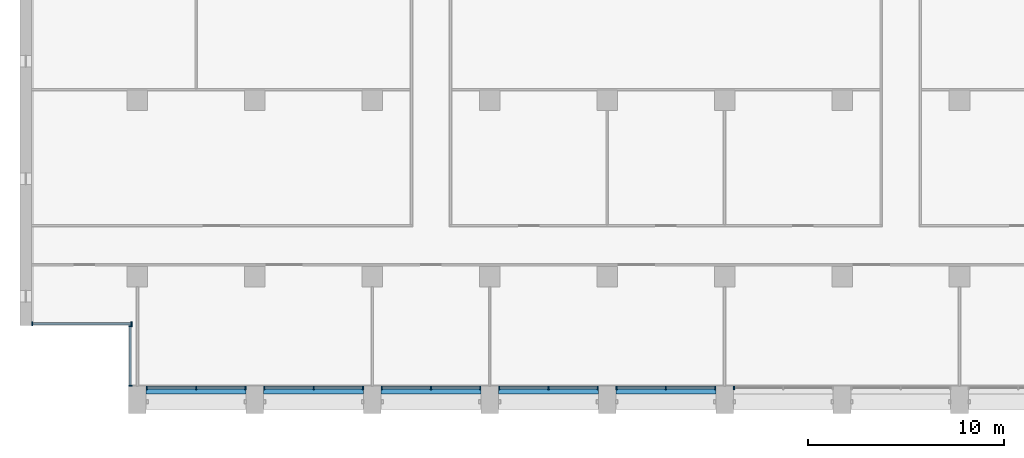
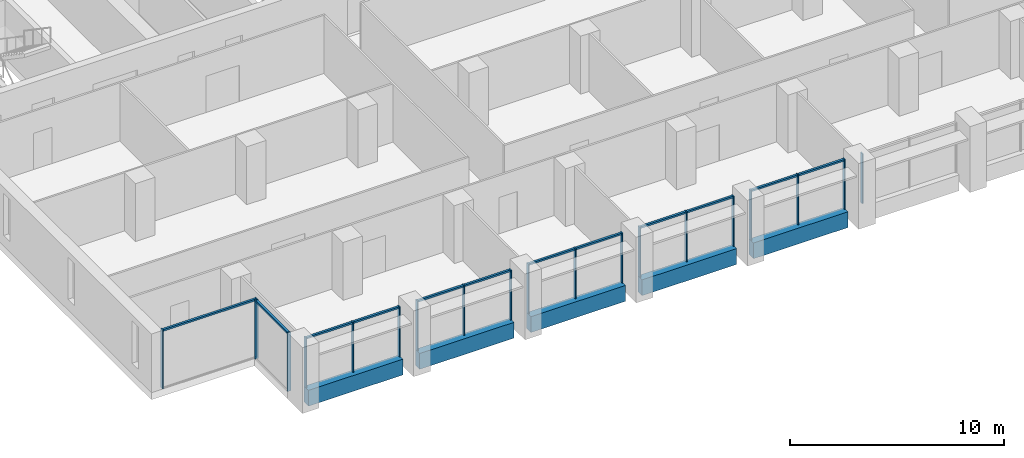
# One storey, part 2 of 17: 32 members, 5 beams, 8 elements without a shape of their own.
"""IFC4 building model written with IfcOpenShell, lengths in metres."""

from ifc_helpers import new_model, si_unit, direction, frame, origin, origin_2d, place, context, subcontext, project, spatial, rectangle, extrude, material, material_profile, profile_set, type_object, element, aggregate, save


model = new_model("IFC4")

# Units and contexts
model_context = context("Model", 3, precision=1e-05, world=origin(), true_north=direction((0.0, 1.0)))
body_context = subcontext(model_context, "Body", "Model", "MODEL_VIEW")
ifc_project = project(units=[si_unit("LENGTHUNIT", "METRE"), si_unit("AREAUNIT", "SQUARE_METRE"), si_unit("VOLUMEUNIT", "CUBIC_METRE"), si_unit("PLANEANGLEUNIT", "RADIAN"), si_unit("MASSUNIT", "GRAM", prefix="KILO")], contexts=[model_context])

# Site, building, storey
site_placement = place(None, origin())
site = spatial("IfcSite", under=ifc_project, at=site_placement, CompositionType="ELEMENT")
building_placement = place(site_placement, origin())
building = spatial("IfcBuilding", under=site, at=building_placement, Name="Calvaro Tower", CompositionType="ELEMENT")
storey_placement = place(building_placement, frame((0.0, 0.0, 204.25)))
storey = spatial("IfcBuildingStorey", under=building, at=storey_placement, Name="L51", CompositionType="ELEMENT", Elevation=204.25)

# Curtain wall, members
ifc_material_1 = material(Name="Anodised aluminium", Category="aluminium")
curtain_wall_type = type_object("IfcCurtainWallType", Name="Office curtain wall, upper zone", PredefinedType="NOTDEFINED", material=ifc_material_1)
curtain_wall_1_placement = place(storey_placement, origin())
curtain_wall_1 = element("IfcCurtainWall", 1, at=curtain_wall_1_placement, inside=storey, type_object=curtain_wall_type, Name="CW3 south curtain wall", PredefinedType="NOTDEFINED")
ifc_material_2 = material(Name="Anodised aluminium", Category="aluminium")
ifc_material_profile_1 = material_profile(ifc_material_2, rectangle(XDim=0.179931640625, YDim=0.06005859375, at=origin_2d()), Name="Mullion S3 60 x 180")
ifc_profile_set_1 = profile_set([ifc_material_profile_1], Name="Anodised aluminium")
member_type_1 = type_object("IfcMemberType", Name="Mullion S3 60 x 180", PredefinedType="MULLION", material=ifc_profile_set_1)
member_1_placement = place(storey_placement, frame((12.47998046875, 4.31005859375, 0.0), z_axis=(0.0, 0.0, 1.0), x_axis=(0.0, 1.0, 0.0)))
member_1 = element("IfcMember", 2, at=member_1_placement, type_object=member_type_1, Name="CW3 mullion 1", PredefinedType="MULLION", context=body_context, shape_type="SweptSolid", body=[
    extrude(rectangle(XDim=0.179931640625, YDim=0.06005859375, at=origin_2d()), origin(), (0.0, 0.0, 1.0), 2.85009765625),
])
member_2_placement = place(storey_placement, frame((15.0, 4.31005859375, 0.0), z_axis=(0.0, 0.0, 1.0), x_axis=(0.0, 1.0, 0.0)))
member_2 = element("IfcMember", 3, at=member_2_placement, type_object=member_type_1, Name="CW3 mullion 2", PredefinedType="MULLION", context=body_context, shape_type="SweptSolid", body=[
    extrude(rectangle(XDim=0.179931640625, YDim=0.06005859375, at=origin_2d()), origin(), (0.0, 0.0, 1.0), 2.85009765625),
])
member_3_placement = place(storey_placement, frame((17.52001953125, 4.31005859375, 0.0), z_axis=(0.0, 0.0, 1.0), x_axis=(0.0, 1.0, 0.0)))
member_3 = element("IfcMember", 4, at=member_3_placement, type_object=member_type_1, Name="CW3 mullion 3", PredefinedType="MULLION", context=body_context, shape_type="SweptSolid", body=[
    extrude(rectangle(XDim=0.179931640625, YDim=0.06005859375, at=origin_2d()), origin(), (0.0, 0.0, 1.0), 2.85009765625),
])

curtain_wall_2_placement = place(storey_placement, origin())
curtain_wall_2 = element("IfcCurtainWall", 5, at=curtain_wall_2_placement, inside=storey, type_object=curtain_wall_type, Name="CW3 south curtain wall", PredefinedType="NOTDEFINED")
member_4_placement = place(storey_placement, frame((18.47998046875, 4.31005859375, 0.0), z_axis=(0.0, 0.0, 1.0), x_axis=(0.0, 1.0, 0.0)))
member_4 = element("IfcMember", 6, at=member_4_placement, type_object=member_type_1, Name="CW3 mullion 1", PredefinedType="MULLION", context=body_context, shape_type="SweptSolid", body=[
    extrude(rectangle(XDim=0.179931640625, YDim=0.06005859375, at=origin_2d()), origin(), (0.0, 0.0, 1.0), 2.85009765625),
])
member_5_placement = place(storey_placement, frame((21.0, 4.31005859375, 0.0), z_axis=(0.0, 0.0, 1.0), x_axis=(0.0, 1.0, 0.0)))
member_5 = element("IfcMember", 7, at=member_5_placement, type_object=member_type_1, Name="CW3 mullion 2", PredefinedType="MULLION", context=body_context, shape_type="SweptSolid", body=[
    extrude(rectangle(XDim=0.179931640625, YDim=0.06005859375, at=origin_2d()), origin(), (0.0, 0.0, 1.0), 2.85009765625),
])
member_6_placement = place(storey_placement, frame((23.52001953125, 4.31005859375, 0.0), z_axis=(0.0, 0.0, 1.0), x_axis=(0.0, 1.0, 0.0)))
member_6 = element("IfcMember", 8, at=member_6_placement, type_object=member_type_1, Name="CW3 mullion 3", PredefinedType="MULLION", context=body_context, shape_type="SweptSolid", body=[
    extrude(rectangle(XDim=0.179931640625, YDim=0.06005859375, at=origin_2d()), origin(), (0.0, 0.0, 1.0), 2.85009765625),
])

curtain_wall_3_placement = place(storey_placement, origin())
curtain_wall_3 = element("IfcCurtainWall", 9, at=curtain_wall_3_placement, inside=storey, type_object=curtain_wall_type, Name="CW3 south curtain wall", PredefinedType="NOTDEFINED")
member_7_placement = place(storey_placement, frame((24.47998046875, 4.31005859375, 0.0), z_axis=(0.0, 0.0, 1.0), x_axis=(0.0, 1.0, 0.0)))
member_7 = element("IfcMember", 10, at=member_7_placement, type_object=member_type_1, Name="CW3 mullion 1", PredefinedType="MULLION", context=body_context, shape_type="SweptSolid", body=[
    extrude(rectangle(XDim=0.179931640625, YDim=0.06005859375, at=origin_2d()), origin(), (0.0, 0.0, 1.0), 2.85009765625),
])
member_8_placement = place(storey_placement, frame((27.0, 4.31005859375, 0.0), z_axis=(0.0, 0.0, 1.0), x_axis=(0.0, 1.0, 0.0)))
member_8 = element("IfcMember", 11, at=member_8_placement, type_object=member_type_1, Name="CW3 mullion 2", PredefinedType="MULLION", context=body_context, shape_type="SweptSolid", body=[
    extrude(rectangle(XDim=0.179931640625, YDim=0.06005859375, at=origin_2d()), origin(), (0.0, 0.0, 1.0), 2.85009765625),
])
member_9_placement = place(storey_placement, frame((29.52001953125, 4.31005859375, 0.0), z_axis=(0.0, 0.0, 1.0), x_axis=(0.0, 1.0, 0.0)))
member_9 = element("IfcMember", 12, at=member_9_placement, type_object=member_type_1, Name="CW3 mullion 3", PredefinedType="MULLION", context=body_context, shape_type="SweptSolid", body=[
    extrude(rectangle(XDim=0.179931640625, YDim=0.06005859375, at=origin_2d()), origin(), (0.0, 0.0, 1.0), 2.85009765625),
])

curtain_wall_4_placement = place(storey_placement, origin())
curtain_wall_4 = element("IfcCurtainWall", 13, at=curtain_wall_4_placement, inside=storey, type_object=curtain_wall_type, Name="CW3 south curtain wall", PredefinedType="NOTDEFINED")
member_10_placement = place(storey_placement, frame((30.47998046875, 4.31005859375, 0.0), z_axis=(0.0, 0.0, 1.0), x_axis=(0.0, 1.0, 0.0)))
member_10 = element("IfcMember", 14, at=member_10_placement, type_object=member_type_1, Name="CW3 mullion 1", PredefinedType="MULLION", context=body_context, shape_type="SweptSolid", body=[
    extrude(rectangle(XDim=0.179931640625, YDim=0.06005859375, at=origin_2d()), origin(), (0.0, 0.0, 1.0), 2.85009765625),
])
member_11_placement = place(storey_placement, frame((33.0, 4.31005859375, 0.0), z_axis=(0.0, 0.0, 1.0), x_axis=(0.0, 1.0, 0.0)))
member_11 = element("IfcMember", 15, at=member_11_placement, type_object=member_type_1, Name="CW3 mullion 2", PredefinedType="MULLION", context=body_context, shape_type="SweptSolid", body=[
    extrude(rectangle(XDim=0.179931640625, YDim=0.06005859375, at=origin_2d()), origin(), (0.0, 0.0, 1.0), 2.85009765625),
])
member_12_placement = place(storey_placement, frame((35.52001953125, 4.31005859375, 0.0), z_axis=(0.0, 0.0, 1.0), x_axis=(0.0, 1.0, 0.0)))
member_12 = element("IfcMember", 16, at=member_12_placement, type_object=member_type_1, Name="CW3 mullion 3", PredefinedType="MULLION", context=body_context, shape_type="SweptSolid", body=[
    extrude(rectangle(XDim=0.179931640625, YDim=0.06005859375, at=origin_2d()), origin(), (0.0, 0.0, 1.0), 2.85009765625),
])

curtain_wall_5_placement = place(storey_placement, origin())
curtain_wall_5 = element("IfcCurtainWall", 17, at=curtain_wall_5_placement, inside=storey, type_object=curtain_wall_type, Name="CW3 south curtain wall", PredefinedType="NOTDEFINED")
member_13_placement = place(storey_placement, frame((36.47998046875, 4.31005859375, 0.0), z_axis=(0.0, 0.0, 1.0), x_axis=(0.0, 1.0, 0.0)))
member_13 = element("IfcMember", 18, at=member_13_placement, type_object=member_type_1, Name="CW3 mullion 1", PredefinedType="MULLION", context=body_context, shape_type="SweptSolid", body=[
    extrude(rectangle(XDim=0.179931640625, YDim=0.06005859375, at=origin_2d()), origin(), (0.0, 0.0, 1.0), 2.85009765625),
])
member_14_placement = place(storey_placement, frame((39.0, 4.31005859375, 0.0), z_axis=(0.0, 0.0, 1.0), x_axis=(0.0, 1.0, 0.0)))
member_14 = element("IfcMember", 19, at=member_14_placement, type_object=member_type_1, Name="CW3 mullion 2", PredefinedType="MULLION", context=body_context, shape_type="SweptSolid", body=[
    extrude(rectangle(XDim=0.179931640625, YDim=0.06005859375, at=origin_2d()), origin(), (0.0, 0.0, 1.0), 2.85009765625),
])
member_15_placement = place(storey_placement, frame((41.52001953125, 4.31005859375, 0.0), z_axis=(0.0, 0.0, 1.0), x_axis=(0.0, 1.0, 0.0)))
member_15 = element("IfcMember", 20, at=member_15_placement, type_object=member_type_1, Name="CW3 mullion 3", PredefinedType="MULLION", context=body_context, shape_type="SweptSolid", body=[
    extrude(rectangle(XDim=0.179931640625, YDim=0.06005859375, at=origin_2d()), origin(), (0.0, 0.0, 1.0), 2.85009765625),
])

# Curtain wall, member
curtain_wall_6_placement = place(storey_placement, origin())
curtain_wall_6 = element("IfcCurtainWall", 21, at=curtain_wall_6_placement, inside=storey, type_object=curtain_wall_type, Name="CW3 south curtain wall", PredefinedType="NOTDEFINED")
member_16_placement = place(storey_placement, frame((42.47998046875, 4.31005859375, 0.0), z_axis=(0.0, 0.0, 1.0), x_axis=(0.0, 1.0, 0.0)))
member_16 = element("IfcMember", 22, at=member_16_placement, type_object=member_type_1, Name="CW3 mullion 1", PredefinedType="MULLION", context=body_context, shape_type="SweptSolid", body=[
    extrude(rectangle(XDim=0.179931640625, YDim=0.06005859375, at=origin_2d()), origin(), (0.0, 0.0, 1.0), 2.85009765625),
])
aggregate(curtain_wall_6, [member_16])

# Curtain wall, members
curtain_wall_7_placement = place(storey_placement, origin())
curtain_wall_7 = element("IfcCurtainWall", 23, at=curtain_wall_7_placement, inside=storey, type_object=curtain_wall_type, Name="CW3 corner curtain wall", PredefinedType="NOTDEFINED")
member_17_placement = place(storey_placement, frame((11.639892578125, 4.429931640625, 0.0), z_axis=(0.0, 0.0, 1.0), x_axis=(-1.0, 0.0, 0.0)))
member_17 = element("IfcMember", 24, at=member_17_placement, type_object=member_type_1, Name="CW3 mullion 1", PredefinedType="MULLION", context=body_context, shape_type="SweptSolid", body=[
    extrude(rectangle(XDim=0.179931640625, YDim=0.06005859375, at=origin_2d()), origin(), (0.0, 0.0, 1.0), 3.35009765625),
])
member_18_placement = place(storey_placement, frame((11.639892578125, 7.469970703125, 0.0), z_axis=(0.0, 0.0, 1.0), x_axis=(-1.0, 0.0, 0.0)))
member_18 = element("IfcMember", 25, at=member_18_placement, type_object=member_type_1, Name="CW3 mullion 2", PredefinedType="MULLION", context=body_context, shape_type="SweptSolid", body=[
    extrude(rectangle(XDim=0.179931640625, YDim=0.06005859375, at=origin_2d()), origin(), (0.0, 0.0, 1.0), 3.35009765625),
])

curtain_wall_8_placement = place(storey_placement, origin())
curtain_wall_8 = element("IfcCurtainWall", 26, at=curtain_wall_8_placement, inside=storey, type_object=curtain_wall_type, Name="CW3 corner curtain wall", PredefinedType="NOTDEFINED")
member_19_placement = place(storey_placement, frame((6.6298828125, 7.590087890625, 0.0), z_axis=(0.0, 0.0, 1.0), x_axis=(0.0, 1.0, 0.0)))
member_19 = element("IfcMember", 27, at=member_19_placement, type_object=member_type_1, Name="CW3 mullion 1", PredefinedType="MULLION", context=body_context, shape_type="SweptSolid", body=[
    extrude(rectangle(XDim=0.179931640625, YDim=0.06005859375, at=origin_2d()), origin(), (0.0, 0.0, 1.0), 3.35009765625),
])
member_20_placement = place(storey_placement, frame((11.699951171875, 7.590087890625, 0.0), z_axis=(0.0, 0.0, 1.0), x_axis=(0.0, 1.0, 0.0)))
member_20 = element("IfcMember", 28, at=member_20_placement, type_object=member_type_1, Name="CW3 mullion 2", PredefinedType="MULLION", context=body_context, shape_type="SweptSolid", body=[
    extrude(rectangle(XDim=0.179931640625, YDim=0.06005859375, at=origin_2d()), origin(), (0.0, 0.0, 1.0), 3.35009765625),
])

# Beams
ifc_material_3 = material(Name="Concrete C50/60 precast", Category="concrete")
ifc_material_profile_2 = material_profile(ifc_material_3, rectangle(XDim=0.39990234375, YDim=0.89990234375, at=origin_2d()), Name="RC 400x900")
ifc_profile_set_2 = profile_set([ifc_material_profile_2], Name="Concrete C50/60 precast")
beam_type = type_object("IfcBeamType", Name="Spandrel beam 400x900 C50/60", PredefinedType="SPANDREL", material=ifc_profile_set_2)
for number, where, z_axis, x_axis, name in (
    (29, (12.449951171875, 4.199951171875, -0.449951171875), (1.0, 0.0, 0.0), (0.0, 1.0, 0.0), "Spandrel beam"),
    (30, (18.449951171875, 4.199951171875, -0.449951171875), (1.0, 0.0, 0.0), (0.0, 1.0, 0.0), "Spandrel beam"),
    (31, (24.449951171875, 4.199951171875, -0.449951171875), (1.0, 0.0, 0.0), (0.0, 1.0, 0.0), "Spandrel beam"),
    (32, (30.449951171875, 4.199951171875, -0.449951171875), (1.0, 0.0, 0.0), (0.0, 1.0, 0.0), "Spandrel beam"),
    (33, (36.449951171875, 4.199951171875, -0.449951171875), (1.0, 0.0, 0.0), (0.0, 1.0, 0.0), "Spandrel beam"),
):
    element("IfcBeam", number, at=place(storey_placement, frame(where, z_axis=z_axis, x_axis=x_axis)), inside=storey, type_object=beam_type, Name=name, PredefinedType="SPANDREL", context=body_context, shape_type="SweptSolid", body=[
        extrude(rectangle(XDim=0.39990234375, YDim=0.89990234375, at=origin_2d()), origin(), (0.0, 0.0, 1.0), 5.10009765625),
    ])

# Member
ifc_material_4 = material(Name="Anodised aluminium", Category="aluminium")
ifc_material_profile_3 = material_profile(ifc_material_4, rectangle(XDim=0.1201171875, YDim=0.10009765625, at=origin_2d()), Name="Transom S3 100 x 120")
ifc_profile_set_3 = profile_set([ifc_material_profile_3], Name="Anodised aluminium")
member_type_2 = type_object("IfcMemberType", Name="Transom S3 100 x 120", PredefinedType="USERDEFINED", material=ifc_profile_set_3)
member_21_placement = place(storey_placement, frame((12.510009765625, 4.31005859375, 2.800048828125), z_axis=(1.0, 0.0, 0.0), x_axis=(0.0, 1.0, 0.0)))
member_21 = element("IfcMember", 34, at=member_21_placement, type_object=member_type_2, Name="CW3 transom 1.1", ObjectType="TRANSOM", PredefinedType="USERDEFINED", context=body_context, shape_type="SweptSolid", body=[
    extrude(rectangle(XDim=0.1201171875, YDim=0.10009765625, at=origin_2d()), origin(), (0.0, 0.0, 1.0), 2.4599609375),
])

member_22_placement = place(storey_placement, frame((15.030029296875, 4.31005859375, 2.800048828125), z_axis=(1.0, 0.0, 0.0), x_axis=(0.0, 1.0, 0.0)))
member_22 = element("IfcMember", 35, at=member_22_placement, type_object=member_type_2, Name="CW3 transom 2.1", ObjectType="TRANSOM", PredefinedType="USERDEFINED", context=body_context, shape_type="SweptSolid", body=[
    extrude(rectangle(XDim=0.1201171875, YDim=0.10009765625, at=origin_2d()), origin(), (0.0, 0.0, 1.0), 2.4599609375),
])

aggregate(curtain_wall_1, [member_1, member_2, member_3, member_21, member_22])

member_23_placement = place(storey_placement, frame((18.510009765625, 4.31005859375, 2.800048828125), z_axis=(1.0, 0.0, 0.0), x_axis=(0.0, 1.0, 0.0)))
member_23 = element("IfcMember", 36, at=member_23_placement, type_object=member_type_2, Name="CW3 transom 1.1", ObjectType="TRANSOM", PredefinedType="USERDEFINED", context=body_context, shape_type="SweptSolid", body=[
    extrude(rectangle(XDim=0.1201171875, YDim=0.10009765625, at=origin_2d()), origin(), (0.0, 0.0, 1.0), 2.4599609375),
])

member_24_placement = place(storey_placement, frame((21.030029296875, 4.31005859375, 2.800048828125), z_axis=(1.0, 0.0, 0.0), x_axis=(0.0, 1.0, 0.0)))
member_24 = element("IfcMember", 37, at=member_24_placement, type_object=member_type_2, Name="CW3 transom 2.1", ObjectType="TRANSOM", PredefinedType="USERDEFINED", context=body_context, shape_type="SweptSolid", body=[
    extrude(rectangle(XDim=0.1201171875, YDim=0.10009765625, at=origin_2d()), origin(), (0.0, 0.0, 1.0), 2.4599609375),
])

aggregate(curtain_wall_2, [member_4, member_5, member_6, member_23, member_24])

member_25_placement = place(storey_placement, frame((24.510009765625, 4.31005859375, 2.800048828125), z_axis=(1.0, 0.0, 0.0), x_axis=(0.0, 1.0, 0.0)))
member_25 = element("IfcMember", 38, at=member_25_placement, type_object=member_type_2, Name="CW3 transom 1.1", ObjectType="TRANSOM", PredefinedType="USERDEFINED", context=body_context, shape_type="SweptSolid", body=[
    extrude(rectangle(XDim=0.1201171875, YDim=0.10009765625, at=origin_2d()), origin(), (0.0, 0.0, 1.0), 2.4599609375),
])

member_26_placement = place(storey_placement, frame((27.030029296875, 4.31005859375, 2.800048828125), z_axis=(1.0, 0.0, 0.0), x_axis=(0.0, 1.0, 0.0)))
member_26 = element("IfcMember", 39, at=member_26_placement, type_object=member_type_2, Name="CW3 transom 2.1", ObjectType="TRANSOM", PredefinedType="USERDEFINED", context=body_context, shape_type="SweptSolid", body=[
    extrude(rectangle(XDim=0.1201171875, YDim=0.10009765625, at=origin_2d()), origin(), (0.0, 0.0, 1.0), 2.4599609375),
])

aggregate(curtain_wall_3, [member_7, member_8, member_9, member_25, member_26])

member_27_placement = place(storey_placement, frame((30.510009765625, 4.31005859375, 2.800048828125), z_axis=(1.0, 0.0, 0.0), x_axis=(0.0, 1.0, 0.0)))
member_27 = element("IfcMember", 40, at=member_27_placement, type_object=member_type_2, Name="CW3 transom 1.1", ObjectType="TRANSOM", PredefinedType="USERDEFINED", context=body_context, shape_type="SweptSolid", body=[
    extrude(rectangle(XDim=0.1201171875, YDim=0.10009765625, at=origin_2d()), origin(), (0.0, 0.0, 1.0), 2.4599609375),
])

member_28_placement = place(storey_placement, frame((33.030029296875, 4.31005859375, 2.800048828125), z_axis=(1.0, 0.0, 0.0), x_axis=(0.0, 1.0, 0.0)))
member_28 = element("IfcMember", 41, at=member_28_placement, type_object=member_type_2, Name="CW3 transom 2.1", ObjectType="TRANSOM", PredefinedType="USERDEFINED", context=body_context, shape_type="SweptSolid", body=[
    extrude(rectangle(XDim=0.1201171875, YDim=0.10009765625, at=origin_2d()), origin(), (0.0, 0.0, 1.0), 2.4599609375),
])

aggregate(curtain_wall_4, [member_10, member_11, member_12, member_27, member_28])

member_29_placement = place(storey_placement, frame((36.510009765625, 4.31005859375, 2.800048828125), z_axis=(1.0, 0.0, 0.0), x_axis=(0.0, 1.0, 0.0)))
member_29 = element("IfcMember", 42, at=member_29_placement, type_object=member_type_2, Name="CW3 transom 1.1", ObjectType="TRANSOM", PredefinedType="USERDEFINED", context=body_context, shape_type="SweptSolid", body=[
    extrude(rectangle(XDim=0.1201171875, YDim=0.10009765625, at=origin_2d()), origin(), (0.0, 0.0, 1.0), 2.4599609375),
])

member_30_placement = place(storey_placement, frame((39.030029296875, 4.31005859375, 2.800048828125), z_axis=(1.0, 0.0, 0.0), x_axis=(0.0, 1.0, 0.0)))
member_30 = element("IfcMember", 43, at=member_30_placement, type_object=member_type_2, Name="CW3 transom 2.1", ObjectType="TRANSOM", PredefinedType="USERDEFINED", context=body_context, shape_type="SweptSolid", body=[
    extrude(rectangle(XDim=0.1201171875, YDim=0.10009765625, at=origin_2d()), origin(), (0.0, 0.0, 1.0), 2.4599609375),
])

aggregate(curtain_wall_5, [member_13, member_14, member_15, member_29, member_30])

member_31_placement = place(storey_placement, frame((11.639892578125, 4.4599609375, 3.300048828125), z_axis=(0.0, 1.0, 0.0), x_axis=(-1.0, 0.0, 0.0)))
member_31 = element("IfcMember", 44, at=member_31_placement, type_object=member_type_2, Name="CW3 transom 1.1", ObjectType="TRANSOM", PredefinedType="USERDEFINED", context=body_context, shape_type="SweptSolid", body=[
    extrude(rectangle(XDim=0.1201171875, YDim=0.10009765625, at=origin_2d()), origin(), (0.0, 0.0, 1.0), 2.97998046875),
])

aggregate(curtain_wall_7, [member_17, member_18, member_31])

member_32_placement = place(storey_placement, frame((6.659912109375, 7.590087890625, 3.300048828125), z_axis=(1.0, 0.0, 0.0), x_axis=(0.0, 1.0, 0.0)))
member_32 = element("IfcMember", 45, at=member_32_placement, type_object=member_type_2, Name="CW3 transom 1.1", ObjectType="TRANSOM", PredefinedType="USERDEFINED", context=body_context, shape_type="SweptSolid", body=[
    extrude(rectangle(XDim=0.1201171875, YDim=0.10009765625, at=origin_2d()), origin(), (0.0, 0.0, 1.0), 5.010009765625),
])

aggregate(curtain_wall_8, [member_19, member_20, member_32])

save(model, "model.ifc")
